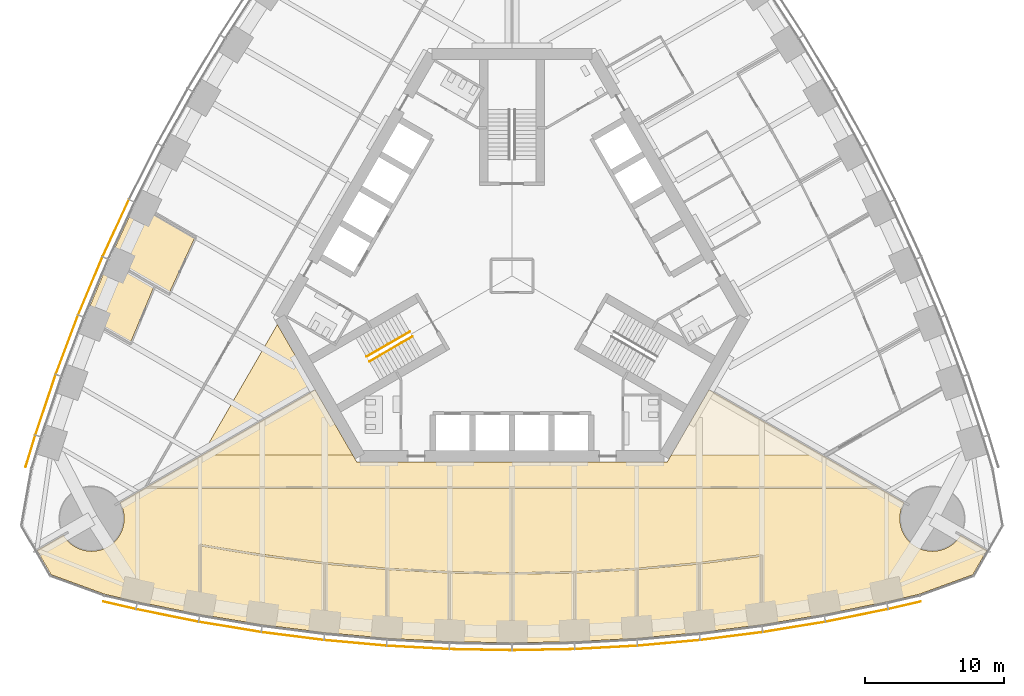
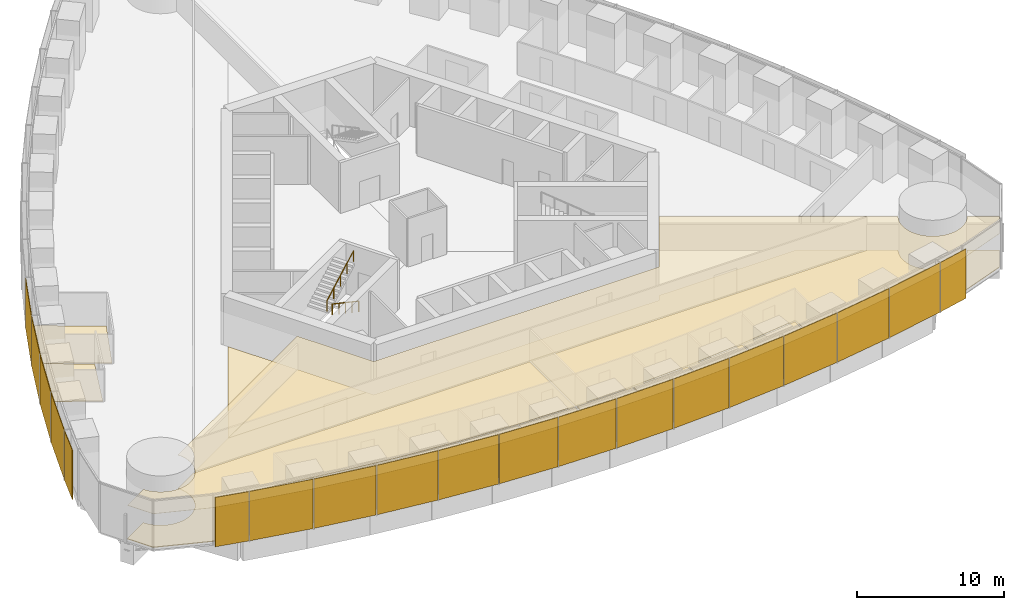
# One storey, part 14 of 18: 19 shading devices, 16 coverings, 2 railings.
"""IFC4 building model written with IfcOpenShell, lengths in metres."""

from ifc_helpers import new_model, si_unit, direction, frame, origin, origin_2d, place, context, subcontext, project, spatial, polyline, rectangle, circle, outline, extrude, material, layer, layer_set, type_object, element, save


model = new_model("IFC4")

# Units and contexts
model_context = context("Model", 3, precision=1e-05, world=origin(), true_north=direction((0.0, 1.0)))
body_context = subcontext(model_context, "Body", "Model", "MODEL_VIEW")
ifc_project = project(units=[si_unit("LENGTHUNIT", "METRE"), si_unit("AREAUNIT", "SQUARE_METRE"), si_unit("VOLUMEUNIT", "CUBIC_METRE"), si_unit("PLANEANGLEUNIT", "RADIAN"), si_unit("MASSUNIT", "GRAM", prefix="KILO")], contexts=[model_context])

# Site, building, storey
site_placement = place(None, origin())
site = spatial("IfcSite", under=ifc_project, at=site_placement, CompositionType="ELEMENT")
building_placement = place(site_placement, origin())
building = spatial("IfcBuilding", under=site, at=building_placement, Name="Trefoil Bronze Tower", CompositionType="ELEMENT")
storey_placement = place(building_placement, frame((0.0, 0.0, 111.5)))
storey = spatial("IfcBuildingStorey", under=building, at=storey_placement, Name="L25", CompositionType="ELEMENT", Elevation=111.5)

# Shading devices
ifc_material_1 = material(Name="Perforated bronze sheet", Category="bronze")
ifc_layer_1 = layer(ifc_material_1, 0.0400390625)
ifc_layer_set_1 = layer_set([ifc_layer_1], Name="Bronze solar screen panel")
shading_device_type = type_object("IfcShadingDeviceType", Name="Bronze solar screen panel", PredefinedType="SHUTTER", material=ifc_layer_set_1)
shading_device_1_placement = place(storey_placement, frame((-28.30078125, -23.748779296875, 0.050048828125), z_axis=(0.0, 0.0, 1.0), x_axis=(0.97420444715, -0.225667222151, 0.0)))
element("IfcShadingDevice", 1, at=shading_device_1_placement, inside=storey, type_object=shading_device_type, Name="Solar screen CW-A L25 F1 bay 1", PredefinedType="SHUTTER", context=body_context, shape_type="SweptSolid", body=[
    extrude(rectangle(XDim=2.39013671875, YDim=0.0400390625, at=origin_2d()), origin(), (0.0, 0.0, 1.0), 4.10009765625),
])
shading_device_2_placement = place(storey_placement, frame((-24.85693359375, -24.480224609375, 0.050048828125), z_axis=(0.0, 0.0, 1.0), x_axis=(0.980155155547, -0.198231861853, 0.0)))
element("IfcShadingDevice", 2, at=shading_device_2_placement, inside=storey, type_object=shading_device_type, Name="Solar screen CW-A L25 F1 bay 2", PredefinedType="SHUTTER", context=body_context, shape_type="SweptSolid", body=[
    extrude(rectangle(XDim=4.56103515625, YDim=0.0400390625, at=origin_2d()), origin(), (0.0, 0.0, 1.0), 4.10009765625),
])
shading_device_3_placement = place(storey_placement, frame((-20.337646484375, -25.30859375, 0.050048828125), z_axis=(0.0, 0.0, 1.0), x_axis=(0.986759655731, -0.162189339418, 0.0)))
element("IfcShadingDevice", 3, at=shading_device_3_placement, inside=storey, type_object=shading_device_type, Name="Solar screen CW-A L25 F1 bay 3", PredefinedType="SHUTTER", context=body_context, shape_type="SweptSolid", body=[
    extrude(rectangle(XDim=4.5302734375, YDim=0.0400390625, at=origin_2d()), origin(), (0.0, 0.0, 1.0), 4.10009765625),
])
shading_device_4_placement = place(storey_placement, frame((-15.818115234375, -25.96728515625, 0.050048828125), z_axis=(0.0, 0.0, 1.0), x_axis=(0.992011554286, -0.126147041833, 0.0)))
element("IfcShadingDevice", 4, at=shading_device_4_placement, inside=storey, type_object=shading_device_type, Name="Solar screen CW-A L25 F1 bay 4", PredefinedType="SHUTTER", context=body_context, shape_type="SweptSolid", body=[
    extrude(rectangle(XDim=4.50634765625, YDim=0.0400390625, at=origin_2d()), origin(), (0.0, 0.0, 1.0), 4.10009765625),
])
shading_device_5_placement = place(storey_placement, frame((-11.298583984375, -26.459228515625, 0.050048828125), z_axis=(0.0, 0.0, 1.0), x_axis=(0.995932279146, -0.090104913044, 0.0)))
element("IfcShadingDevice", 5, at=shading_device_5_placement, inside=storey, type_object=shading_device_type, Name="Solar screen CW-A L25 F1 bay 5", PredefinedType="SHUTTER", context=body_context, shape_type="SweptSolid", body=[
    extrude(rectangle(XDim=4.48828125, YDim=0.0400390625, at=origin_2d()), origin(), (0.0, 0.0, 1.0), 4.10009765625),
])
shading_device_6_placement = place(storey_placement, frame((-6.779296875, -26.785888671875, 0.050048828125), z_axis=(0.0, 0.0, 1.0), x_axis=(0.998537531923, -0.054062901701, 0.0)))
element("IfcShadingDevice", 6, at=shading_device_6_placement, inside=storey, type_object=shading_device_type, Name="Solar screen CW-A L25 F1 bay 6", PredefinedType="SHUTTER", context=body_context, shape_type="SweptSolid", body=[
    extrude(rectangle(XDim=4.4765625, YDim=0.0400390625, at=origin_2d()), origin(), (0.0, 0.0, 1.0), 4.10009765625),
])
for number, where, z_axis, x_axis, name in (
    (7, (-2.259765625, -26.948974609375, 0.050048828125), (0.0, 0.0, 1.0), (0.999837609322, -0.018020959612, 0.0), "Solar screen CW-A L25 F1 bay 7"),
    (8, (2.259765625, -26.948974609375, 0.050048828125), (0.0, 0.0, 1.0), (0.999837609322, 0.018020959612, 0.0), "Solar screen CW-A L25 F1 bay 8"),
):
    element("IfcShadingDevice", number, at=place(storey_placement, frame(where, z_axis=z_axis, x_axis=x_axis)), inside=storey, type_object=shading_device_type, Name=name, PredefinedType="SHUTTER", context=body_context, shape_type="SweptSolid", body=[
        extrude(rectangle(XDim=4.470703125, YDim=0.0400390625, at=origin_2d()), origin(), (0.0, 0.0, 1.0), 4.10009765625),
    ])
shading_device_7_placement = place(storey_placement, frame((6.779296875, -26.785888671875, 0.050048828125), z_axis=(0.0, 0.0, 1.0), x_axis=(0.998537531923, 0.054062901701, 0.0)))
element("IfcShadingDevice", 9, at=shading_device_7_placement, inside=storey, type_object=shading_device_type, Name="Solar screen CW-A L25 F1 bay 9", PredefinedType="SHUTTER", context=body_context, shape_type="SweptSolid", body=[
    extrude(rectangle(XDim=4.4765625, YDim=0.0400390625, at=origin_2d()), origin(), (0.0, 0.0, 1.0), 4.10009765625),
])
shading_device_8_placement = place(storey_placement, frame((11.298583984375, -26.459228515625, 0.050048828125), z_axis=(0.0, 0.0, 1.0), x_axis=(0.995932279146, 0.090104913044, 0.0)))
element("IfcShadingDevice", 10, at=shading_device_8_placement, inside=storey, type_object=shading_device_type, Name="Solar screen CW-A L25 F1 bay 10", PredefinedType="SHUTTER", context=body_context, shape_type="SweptSolid", body=[
    extrude(rectangle(XDim=4.48828125, YDim=0.0400390625, at=origin_2d()), origin(), (0.0, 0.0, 1.0), 4.10009765625),
])
shading_device_9_placement = place(storey_placement, frame((15.818115234375, -25.96728515625, 0.050048828125), z_axis=(0.0, 0.0, 1.0), x_axis=(0.992011554286, 0.126147041833, 0.0)))
element("IfcShadingDevice", 11, at=shading_device_9_placement, inside=storey, type_object=shading_device_type, Name="Solar screen CW-A L25 F1 bay 11", PredefinedType="SHUTTER", context=body_context, shape_type="SweptSolid", body=[
    extrude(rectangle(XDim=4.50634765625, YDim=0.0400390625, at=origin_2d()), origin(), (0.0, 0.0, 1.0), 4.10009765625),
])
shading_device_10_placement = place(storey_placement, frame((20.337646484375, -25.30859375, 0.050048828125), z_axis=(0.0, 0.0, 1.0), x_axis=(0.986759655731, 0.162189339418, 0.0)))
element("IfcShadingDevice", 12, at=shading_device_10_placement, inside=storey, type_object=shading_device_type, Name="Solar screen CW-A L25 F1 bay 12", PredefinedType="SHUTTER", context=body_context, shape_type="SweptSolid", body=[
    extrude(rectangle(XDim=4.5302734375, YDim=0.0400390625, at=origin_2d()), origin(), (0.0, 0.0, 1.0), 4.10009765625),
])
shading_device_11_placement = place(storey_placement, frame((24.85693359375, -24.480224609375, 0.050048828125), z_axis=(0.0, 0.0, 1.0), x_axis=(0.980155155547, 0.198231861853, 0.0)))
element("IfcShadingDevice", 13, at=shading_device_11_placement, inside=storey, type_object=shading_device_type, Name="Solar screen CW-A L25 F1 bay 13", PredefinedType="SHUTTER", context=body_context, shape_type="SweptSolid", body=[
    extrude(rectangle(XDim=4.56103515625, YDim=0.0400390625, at=origin_2d()), origin(), (0.0, 0.0, 1.0), 4.10009765625),
])
shading_device_12_placement = place(storey_placement, frame((28.30078125, -23.748779296875, 0.050048828125), z_axis=(0.0, 0.0, 1.0), x_axis=(0.97420444715, 0.225667222151, 0.0)))
element("IfcShadingDevice", 14, at=shading_device_12_placement, inside=storey, type_object=shading_device_type, Name="Solar screen CW-A L25 F1 bay 14", PredefinedType="SHUTTER", context=body_context, shape_type="SweptSolid", body=[
    extrude(rectangle(XDim=2.39013671875, YDim=0.0400390625, at=origin_2d()), origin(), (0.0, 0.0, 1.0), 4.10009765625),
])
shading_device_13_placement = place(storey_placement, frame((-28.563720703125, 3.444580078125, 0.050048828125), z_axis=(0.0, 0.0, 1.0), x_axis=(-0.419932995871, -0.907555110712, 0.0)))
element("IfcShadingDevice", 15, at=shading_device_13_placement, inside=storey, type_object=shading_device_type, Name="Solar screen CW-A L25 F3 bay 10", PredefinedType="SHUTTER", context=body_context, shape_type="SweptSolid", body=[
    extrude(rectangle(XDim=4.48828125, YDim=0.0400390625, at=origin_2d()), origin(), (0.0, 0.0, 1.0), 4.10009765625),
])
shading_device_14_placement = place(storey_placement, frame((-30.3974609375, -0.715087890625, 0.050048828125), z_axis=(0.0, 0.0, 1.0), x_axis=(-0.386759234303, -0.922180727776, 0.0)))
element("IfcShadingDevice", 16, at=shading_device_14_placement, inside=storey, type_object=shading_device_type, Name="Solar screen CW-A L25 F3 bay 11", PredefinedType="SHUTTER", context=body_context, shape_type="SweptSolid", body=[
    extrude(rectangle(XDim=4.50634765625, YDim=0.0400390625, at=origin_2d()), origin(), (0.0, 0.0, 1.0), 4.10009765625),
])
shading_device_15_placement = place(storey_placement, frame((-32.086669921875, -4.95849609375, 0.050048828125), z_axis=(0.0, 0.0, 1.0), x_axis=(-0.352919739707, -0.935653599002, 0.0)))
element("IfcShadingDevice", 17, at=shading_device_15_placement, inside=storey, type_object=shading_device_type, Name="Solar screen CW-A L25 F3 bay 12", PredefinedType="SHUTTER", context=body_context, shape_type="SweptSolid", body=[
    extrude(rectangle(XDim=4.5302734375, YDim=0.0400390625, at=origin_2d()), origin(), (0.0, 0.0, 1.0), 4.10009765625),
])
shading_device_16_placement = place(storey_placement, frame((-33.62890625, -9.286865234375, 0.050048828125), z_axis=(0.0, 0.0, 1.0), x_axis=(-0.318403749569, -0.947955195281, 0.0)))
element("IfcShadingDevice", 18, at=shading_device_16_placement, inside=storey, type_object=shading_device_type, Name="Solar screen CW-A L25 F3 bay 13", PredefinedType="SHUTTER", context=body_context, shape_type="SweptSolid", body=[
    extrude(rectangle(XDim=4.56103515625, YDim=0.0400390625, at=origin_2d()), origin(), (0.0, 0.0, 1.0), 4.10009765625),
])
shading_device_17_placement = place(storey_placement, frame((-34.717529296875, -12.634765625, 0.050048828125), z_axis=(0.0, 0.0, 1.0), x_axis=(-0.291668676391, -0.956519410787, 0.0)))
element("IfcShadingDevice", 19, at=shading_device_17_placement, inside=storey, type_object=shading_device_type, Name="Solar screen CW-A L25 F3 bay 14", PredefinedType="SHUTTER", context=body_context, shape_type="SweptSolid", body=[
    extrude(rectangle(XDim=2.39013671875, YDim=0.0400390625, at=origin_2d()), origin(), (0.0, 0.0, 1.0), 4.10009765625),
])

# Railings
ifc_material_2 = material(Name="Steel handrail", Category="steel")
railing_type = type_object("IfcRailingType", Name="Handrail 900", PredefinedType="HANDRAIL", material=ifc_material_2)
railing_1_placement = place(storey_placement, frame((-7.166015625, -4.3681640625, 0.16162109375)))
element("IfcRailing", 20, at=railing_1_placement, inside=storey, type_object=railing_type, Name="Handrail ST3 flight 1 L25", PredefinedType="HANDRAIL", context=body_context, shape_type="SweptSolid", body=[
    extrude(circle(Radius=0.02392578125, at=origin_2d()), frame((0.0, 0.0, 0.8759765625), z_axis=(-0.76250339821, -0.440245697338, 0.474101564745), x_axis=(0.500012057535, -0.866018442252, 0.0)), (0.0, 0.0, 1.0), 4.088623046875),
    extrude(circle(Radius=0.02099609375, at=origin_2d()), origin(), (0.0, 0.0, 1.0), 0.851806640625),
    extrude(circle(Radius=0.02099609375, at=origin_2d()), frame((-0.779296875, -0.449951171875, 0.484619140625)), (0.0, 0.0, 1.0), 0.851806640625),
    extrude(circle(Radius=0.02099609375, at=origin_2d()), frame((-1.558837890625, -0.89990234375, 0.96923828125)), (0.0, 0.0, 1.0), 0.851806640625),
    extrude(circle(Radius=0.02099609375, at=origin_2d()), frame((-2.33837890625, -1.35009765625, 1.453857421875)), (0.0, 0.0, 1.0), 0.851806640625),
    extrude(circle(Radius=0.02099609375, at=origin_2d()), frame((-3.11767578125, -1.800048828125, 1.9384765625)), (0.0, 0.0, 1.0), 0.851806640625),
])
railing_2_placement = place(storey_placement, frame((-10.483642578125, -5.82177734375, 2.261474609375)))
element("IfcRailing", 21, at=railing_2_placement, inside=storey, type_object=railing_type, Name="Handrail ST3 flight 2 L25", PredefinedType="HANDRAIL", context=body_context, shape_type="SweptSolid", body=[
    extrude(circle(Radius=0.02392578125, at=origin_2d()), frame((0.0, 0.0, 0.8759765625), z_axis=(0.76250339821, 0.440245697338, 0.474101564745), x_axis=(-0.500012057535, 0.866018442252, 0.0)), (0.0, 0.0, 1.0), 4.088623046875),
    extrude(circle(Radius=0.02099609375, at=origin_2d()), origin(), (0.0, 0.0, 1.0), 0.851806640625),
    extrude(circle(Radius=0.02099609375, at=origin_2d()), frame((0.779296875, 0.449951171875, 0.484619140625)), (0.0, 0.0, 1.0), 0.851806640625),
    extrude(circle(Radius=0.02099609375, at=origin_2d()), frame((1.558837890625, 0.89990234375, 0.96923828125)), (0.0, 0.0, 1.0), 0.851806640625),
    extrude(circle(Radius=0.02099609375, at=origin_2d()), frame((2.33837890625, 1.35009765625, 1.453857421875)), (0.0, 0.0, 1.0), 0.851806640625),
    extrude(circle(Radius=0.02099609375, at=origin_2d()), frame((3.11767578125, 1.800048828125, 1.9384765625)), (0.0, 0.0, 1.0), 0.851806640625),
])

# Coverings
ifc_material_3 = material(Name="Acoustic ceiling panels", Category="mineral fibre")
ifc_layer_2 = layer(ifc_material_3, 0.02001953125)
ifc_layer_set_2 = layer_set([ifc_layer_2], Name="Office ceiling 20")
covering_type_1 = type_object("IfcCoveringType", Name="Office ceiling 20", PredefinedType="CEILING", material=ifc_layer_set_2)
covering_1_placement = place(storey_placement, frame((0.0, 0.0, 2.89990234375)))
element("IfcCovering", 22, at=covering_1_placement, inside=storey, type_object=covering_type_1, Name="Ceiling L25 Open-plan office F1", PredefinedType="CEILING", context=body_context, shape_type="SweptSolid", body=[
    extrude(outline(polyline([(-32.264892578125, -18.8056640625), (-32.198486328125, -18.89990234375), (-32.12744140625, -18.99072265625), (-32.052001953125, -19.078125), (-31.97265625, -19.16162109375), (-31.88916015625, -19.2412109375), (-31.8017578125, -19.316650390625), (-31.710693359375, -19.387451171875), (-31.616455078125, -19.4541015625), (-31.51904296875, -19.515625), (-31.418701171875, -19.572509765625), (-31.315673828125, -19.62451171875), (-31.210205078125, -19.671142578125), (-31.1025390625, -19.712646484375), (-30.9931640625, -19.748779296875), (-30.8818359375, -19.779541015625), (-30.769287109375, -19.8046875), (-30.65576171875, -19.82470703125), (-30.541259765625, -19.838623046875), (-30.42626953125, -19.84716796875), (-30.310791015625, -19.85009765625), (-30.195556640625, -19.84716796875), (-30.08056640625, -19.838623046875), (-29.966064453125, -19.82470703125), (-29.852294921875, -19.8046875), (-29.739990234375, -19.779541015625), (-29.628662109375, -19.748779296875), (-29.519287109375, -19.712646484375), (-29.41162109375, -19.671142578125), (-29.30615234375, -19.62451171875), (-29.203125, -19.572509765625), (-29.102783203125, -19.515625), (-29.00537109375, -19.4541015625), (-28.910888671875, -19.387451171875), (-28.820068359375, -19.316650390625), (-28.732666015625, -19.2412109375), (-28.649169921875, -19.16162109375), (-28.569580078125, -19.078125), (-28.494384765625, -18.99072265625), (-28.42333984375, -18.89990234375), (-28.35693359375, -18.8056640625), (-28.295166015625, -18.7080078125), (-28.23828125, -18.60791015625), (-28.1865234375, -18.5048828125), (-28.139892578125, -18.3994140625), (-28.098388671875, -18.291748046875), (-28.06201171875, -18.18212890625), (-28.03125, -18.071044921875), (-28.006103515625, -17.95849609375), (-27.986328125, -17.8447265625), (-27.97216796875, -17.730224609375), (-27.963623046875, -17.615234375), (-27.9609375, -17.5), (-27.963623046875, -17.384765625), (-27.97216796875, -17.269775390625), (-27.986328125, -17.1552734375), (-28.006103515625, -17.04150390625), (-28.03125, -16.928955078125), (-28.06201171875, -16.81787109375), (-28.098388671875, -16.708251953125), (-28.139892578125, -16.6005859375), (-28.1865234375, -16.4951171875), (-28.23828125, -16.39208984375), (-28.270263671875, -16.3359375), (-14.19970703125, -8.205322265625), (-11.20068359375, -13.39990234375), (11.20068359375, -13.39990234375), (14.19970703125, -8.205322265625), (28.270263671875, -16.3359375), (28.23828125, -16.39208984375), (28.1865234375, -16.4951171875), (28.139892578125, -16.6005859375), (28.098388671875, -16.708251953125), (28.06201171875, -16.81787109375), (28.03125, -16.928955078125), (28.006103515625, -17.04150390625), (27.986328125, -17.1552734375), (27.97216796875, -17.269775390625), (27.963623046875, -17.384765625), (27.9609375, -17.5), (27.963623046875, -17.615234375), (27.97216796875, -17.730224609375), (27.986328125, -17.8447265625), (28.006103515625, -17.95849609375), (28.03125, -18.071044921875), (28.06201171875, -18.18212890625), (28.098388671875, -18.291748046875), (28.139892578125, -18.3994140625), (28.1865234375, -18.5048828125), (28.23828125, -18.60791015625), (28.295166015625, -18.7080078125), (28.35693359375, -18.8056640625), (28.42333984375, -18.89990234375), (28.494384765625, -18.99072265625), (28.569580078125, -19.078125), (28.649169921875, -19.16162109375), (28.732666015625, -19.2412109375), (28.820068359375, -19.316650390625), (28.910888671875, -19.387451171875), (29.00537109375, -19.4541015625), (29.102783203125, -19.515625), (29.203125, -19.572509765625), (29.30615234375, -19.62451171875), (29.41162109375, -19.671142578125), (29.519287109375, -19.712646484375), (29.628662109375, -19.748779296875), (29.739990234375, -19.779541015625), (29.852294921875, -19.8046875), (29.966064453125, -19.82470703125), (30.08056640625, -19.838623046875), (30.195556640625, -19.84716796875), (30.310791015625, -19.85009765625), (30.42626953125, -19.84716796875), (30.541259765625, -19.838623046875), (30.65576171875, -19.82470703125), (30.769287109375, -19.8046875), (30.8818359375, -19.779541015625), (30.9931640625, -19.748779296875), (31.1025390625, -19.712646484375), (31.210205078125, -19.671142578125), (31.315673828125, -19.62451171875), (31.418701171875, -19.572509765625), (31.51904296875, -19.515625), (31.616455078125, -19.4541015625), (31.710693359375, -19.387451171875), (31.8017578125, -19.316650390625), (31.88916015625, -19.2412109375), (31.97265625, -19.16162109375), (32.052001953125, -19.078125), (32.12744140625, -18.99072265625), (32.198486328125, -18.89990234375), (32.264892578125, -18.8056640625), (32.338623046875, -18.68701171875), (34.233154296875, -19.781494140625), (33.21435546875, -21.5458984375), (29.357666015625, -22.94970703125), (27.0, -23.495849609375), (22.5, -24.406005859375), (18.0, -25.1455078125), (13.5, -25.7177734375), (9.0, -26.125), (4.5, -26.36865234375), (0.0, -26.44970703125), (-4.5, -26.36865234375), (-9.0, -26.125), (-13.5, -25.7177734375), (-18.0, -25.1455078125), (-22.5, -24.406005859375), (-27.0, -23.495849609375), (-29.357666015625, -22.94970703125), (-33.21435546875, -21.5458984375), (-34.233154296875, -19.781494140625), (-32.338623046875, -18.68701171875), (-32.264892578125, -18.8056640625)])), origin(), (0.0, 0.0, 1.0), 0.02001953125),
])
ifc_material_4 = material(Name="Raised access floor panels", Category="steel")
ifc_layer_3 = layer(ifc_material_4, 0.050048828125)
ifc_layer_set_3 = layer_set([ifc_layer_3], Name="Raised access floor 150")
covering_type_2 = type_object("IfcCoveringType", Name="Raised access floor 150", PredefinedType="FLOORING", material=ifc_layer_set_3)
covering_2_placement = place(storey_placement, frame((0.0, 0.0, 0.10009765625)))
element("IfcCovering", 23, at=covering_2_placement, inside=storey, type_object=covering_type_2, Name="Raised floor L25 Client meeting room F1", PredefinedType="FLOORING", context=body_context, shape_type="SweptSolid", body=[
    extrude(outline(polyline([(-18.0, -25.1455078125), (-22.5, -24.406005859375), (-22.5, -22.748779296875), (-22.43994140625, -22.748779296875), (-22.43994140625, -19.4765625), (-18.009765625, -20.204833984375), (-18.0, -20.1455078125), (-18.007568359375, -20.205078125), (-13.56005859375, -20.770751953125), (-13.56005859375, -24.078125), (-13.5, -24.078125), (-13.5, -25.7177734375), (-18.0, -25.1455078125)])), origin(), (0.0, 0.0, 1.0), 0.0498046875),
])
covering_3_placement = place(storey_placement, frame((0.0, 0.0, 0.10009765625)))
element("IfcCovering", 24, at=covering_3_placement, inside=storey, type_object=covering_type_2, Name="Raised floor L25 Client meeting room F1", PredefinedType="FLOORING", context=body_context, shape_type="SweptSolid", body=[
    extrude(outline(polyline([(-9.0, -26.125), (-13.5, -25.7177734375), (-13.5, -24.078125), (-13.43994140625, -24.078125), (-13.43994140625, -20.783447265625), (-9.06005859375, -21.1796875), (-9.06005859375, -24.49072265625), (-9.0, -24.49072265625), (-9.0, -26.125)])), origin(), (0.0, 0.0, 1.0), 0.0498046875),
])
covering_4_placement = place(storey_placement, frame((0.0, 0.0, 0.10009765625)))
element("IfcCovering", 25, at=covering_4_placement, inside=storey, type_object=covering_type_2, Name="Raised floor L25 Office F1", PredefinedType="FLOORING", context=body_context, shape_type="SweptSolid", body=[
    extrude(outline(polyline([(-4.5, -26.36865234375), (-9.0, -26.125), (-9.0, -24.49072265625), (-8.93994140625, -24.49072265625), (-8.93994140625, -21.188232421875), (-4.56005859375, -21.42529296875), (-4.56005859375, -24.737548828125), (-4.5, -24.737548828125), (-4.5, -26.36865234375)])), origin(), (0.0, 0.0, 1.0), 0.0498046875),
])
covering_5_placement = place(storey_placement, frame((0.0, 0.0, 0.10009765625)))
element("IfcCovering", 26, at=covering_5_placement, inside=storey, type_object=covering_type_2, Name="Raised floor L25 Office F1", PredefinedType="FLOORING", context=body_context, shape_type="SweptSolid", body=[
    extrude(outline(polyline([(0.0, -26.44970703125), (-4.5, -26.36865234375), (-4.5, -24.737548828125), (-4.43994140625, -24.737548828125), (-4.43994140625, -21.4296875), (-0.074951171875, -21.50830078125), (-0.074951171875, -24.819580078125), (0.0, -24.819580078125), (0.0, -26.44970703125)])), origin(), (0.0, 0.0, 1.0), 0.0498046875),
])
covering_6_placement = place(storey_placement, frame((0.0, 0.0, 0.10009765625)))
element("IfcCovering", 27, at=covering_6_placement, inside=storey, type_object=covering_type_2, Name="Raised floor L25 Office F1", PredefinedType="FLOORING", context=body_context, shape_type="SweptSolid", body=[
    extrude(outline(polyline([(4.5, -26.36865234375), (0.0, -26.44970703125), (0.0, -24.819580078125), (0.074951171875, -24.819580078125), (0.074951171875, -21.50830078125), (4.43994140625, -21.4296875), (4.43994140625, -24.737548828125), (4.5, -24.737548828125), (4.5, -26.36865234375)])), origin(), (0.0, 0.0, 1.0), 0.0498046875),
])
covering_7_placement = place(storey_placement, frame((0.0, 0.0, 0.10009765625)))
element("IfcCovering", 28, at=covering_7_placement, inside=storey, type_object=covering_type_2, Name="Raised floor L25 Office F1", PredefinedType="FLOORING", context=body_context, shape_type="SweptSolid", body=[
    extrude(outline(polyline([(9.0, -26.125), (4.5, -26.36865234375), (4.5, -24.737548828125), (4.56005859375, -24.737548828125), (4.56005859375, -21.42529296875), (8.93994140625, -21.188232421875), (8.93994140625, -24.49072265625), (9.0, -24.49072265625), (9.0, -26.125)])), origin(), (0.0, 0.0, 1.0), 0.0498046875),
])
covering_8_placement = place(storey_placement, frame((0.0, 0.0, 0.10009765625)))
element("IfcCovering", 29, at=covering_8_placement, inside=storey, type_object=covering_type_2, Name="Raised floor L25 Meeting room F1", PredefinedType="FLOORING", context=body_context, shape_type="SweptSolid", body=[
    extrude(outline(polyline([(13.5, -25.7177734375), (9.0, -26.125), (9.0, -24.49072265625), (9.06005859375, -24.49072265625), (9.06005859375, -21.1796875), (13.43994140625, -20.783447265625), (13.43994140625, -24.078125), (13.5, -24.078125), (13.5, -25.7177734375)])), origin(), (0.0, 0.0, 1.0), 0.0498046875),
])
covering_9_placement = place(storey_placement, frame((0.0, 0.0, 0.10009765625)))
element("IfcCovering", 30, at=covering_9_placement, inside=storey, type_object=covering_type_2, Name="Raised floor L25 Meeting room F1", PredefinedType="FLOORING", context=body_context, shape_type="SweptSolid", body=[
    extrude(outline(polyline([(18.0, -25.1455078125), (13.5, -25.7177734375), (13.5, -24.078125), (13.56005859375, -24.078125), (13.56005859375, -20.770751953125), (17.93994140625, -20.213623046875), (17.93994140625, -23.49853515625), (18.0, -23.49853515625), (18.0, -25.1455078125)])), origin(), (0.0, 0.0, 1.0), 0.0498046875),
])
covering_10_placement = place(storey_placement, frame((0.0, 0.0, 0.10009765625)))
element("IfcCovering", 31, at=covering_10_placement, inside=storey, type_object=covering_type_2, Name="Raised floor L25 Corridor F1", PredefinedType="FLOORING", context=body_context, shape_type="SweptSolid", body=[
    extrude(outline(polyline([(-26.304443359375, -15.199951171875), (-22.32421875, -12.89990234375), (-11.4892578125, -12.89990234375), (-11.20068359375, -13.39990234375), (11.20068359375, -13.39990234375), (11.4892578125, -12.89990234375), (22.32421875, -12.89990234375), (26.304443359375, -15.199951171875), (-26.304443359375, -15.199951171875)])), origin(), (0.0, 0.0, 1.0), 0.0498046875),
])
covering_11_placement = place(storey_placement, frame((0.0, 0.0, 0.10009765625)))
element("IfcCovering", 32, at=covering_11_placement, inside=storey, type_object=covering_type_2, Name="Raised floor L25 Open-plan office F1", PredefinedType="FLOORING", context=body_context, shape_type="SweptSolid", body=[
    extrude(outline(polyline([(18.0, -23.49853515625), (18.06005859375, -23.49853515625), (18.06005859375, -20.1455078125), (18.0, -20.1455078125), (17.992431640625, -20.0859375), (13.493408203125, -20.658203125), (8.99560546875, -21.065185546875), (4.497802734375, -21.30859375), (0.074951171875, -21.38818359375), (0.074951171875, -15.320068359375), (26.398193359375, -15.320068359375), (26.398193359375, -15.254150390625), (28.270263671875, -16.3359375), (28.23828125, -16.39208984375), (28.1865234375, -16.4951171875), (28.139892578125, -16.6005859375), (28.098388671875, -16.708251953125), (28.06201171875, -16.81787109375), (28.03125, -16.928955078125), (28.006103515625, -17.04150390625), (27.986328125, -17.1552734375), (27.97216796875, -17.269775390625), (27.963623046875, -17.384765625), (27.9609375, -17.5), (27.963623046875, -17.615234375), (27.97216796875, -17.730224609375), (27.986328125, -17.8447265625), (28.006103515625, -17.95849609375), (28.03125, -18.071044921875), (28.06201171875, -18.18212890625), (28.098388671875, -18.291748046875), (28.139892578125, -18.3994140625), (28.1865234375, -18.5048828125), (28.23828125, -18.60791015625), (28.295166015625, -18.7080078125), (28.35693359375, -18.8056640625), (28.42333984375, -18.89990234375), (28.494384765625, -18.99072265625), (28.569580078125, -19.078125), (28.649169921875, -19.16162109375), (28.732666015625, -19.2412109375), (28.820068359375, -19.316650390625), (28.910888671875, -19.387451171875), (29.00537109375, -19.4541015625), (29.102783203125, -19.515625), (29.203125, -19.572509765625), (29.30615234375, -19.62451171875), (29.41162109375, -19.671142578125), (29.519287109375, -19.712646484375), (29.628662109375, -19.748779296875), (29.739990234375, -19.779541015625), (29.852294921875, -19.8046875), (29.966064453125, -19.82470703125), (30.08056640625, -19.838623046875), (30.195556640625, -19.84716796875), (30.310791015625, -19.85009765625), (30.42626953125, -19.84716796875), (30.541259765625, -19.838623046875), (30.65576171875, -19.82470703125), (30.769287109375, -19.8046875), (30.8818359375, -19.779541015625), (30.9931640625, -19.748779296875), (31.1025390625, -19.712646484375), (31.210205078125, -19.671142578125), (31.315673828125, -19.62451171875), (31.418701171875, -19.572509765625), (31.51904296875, -19.515625), (31.616455078125, -19.4541015625), (31.710693359375, -19.387451171875), (31.8017578125, -19.316650390625), (31.88916015625, -19.2412109375), (31.97265625, -19.16162109375), (32.052001953125, -19.078125), (32.12744140625, -18.99072265625), (32.198486328125, -18.89990234375), (32.264892578125, -18.8056640625), (32.338623046875, -18.68701171875), (34.233154296875, -19.781494140625), (33.21435546875, -21.5458984375), (29.357666015625, -22.94970703125), (27.0, -23.495849609375), (22.5, -24.406005859375), (18.0, -25.1455078125), (18.0, -23.49853515625)])), origin(), (0.0, 0.0, 1.0), 0.0498046875),
])
covering_12_placement = place(storey_placement, frame((0.0, 0.0, 0.10009765625)))
element("IfcCovering", 33, at=covering_12_placement, inside=storey, type_object=covering_type_2, Name="Raised floor L25 Open-plan office F1", PredefinedType="FLOORING", context=body_context, shape_type="SweptSolid", body=[
    extrude(outline(polyline([(-28.139892578125, -16.6005859375), (-28.1865234375, -16.4951171875), (-28.23828125, -16.39208984375), (-28.270263671875, -16.3359375), (-26.398193359375, -15.254150390625), (-26.398193359375, -15.320068359375), (-0.074951171875, -15.320068359375), (-0.074951171875, -21.38818359375), (-4.497802734375, -21.30859375), (-8.99560546875, -21.065185546875), (-13.493408203125, -20.658203125), (-16.75146484375, -20.243896484375), (-19.231201171875, -19.88232421875), (-22.490234375, -19.3466796875), (-22.5, -19.406005859375), (-22.56005859375, -19.406005859375), (-22.56005859375, -22.748779296875), (-22.5, -22.748779296875), (-22.5, -24.406005859375), (-27.0, -23.495849609375), (-29.357666015625, -22.94970703125), (-33.21435546875, -21.5458984375), (-34.233154296875, -19.781494140625), (-32.338623046875, -18.68701171875), (-32.264892578125, -18.8056640625), (-32.198486328125, -18.89990234375), (-32.12744140625, -18.99072265625), (-32.052001953125, -19.078125), (-31.97265625, -19.16162109375), (-31.88916015625, -19.2412109375), (-31.8017578125, -19.316650390625), (-31.710693359375, -19.387451171875), (-31.616455078125, -19.4541015625), (-31.51904296875, -19.515625), (-31.418701171875, -19.572509765625), (-31.315673828125, -19.62451171875), (-31.210205078125, -19.671142578125), (-31.1025390625, -19.712646484375), (-30.9931640625, -19.748779296875), (-30.8818359375, -19.779541015625), (-30.769287109375, -19.8046875), (-30.65576171875, -19.82470703125), (-30.541259765625, -19.838623046875), (-30.42626953125, -19.84716796875), (-30.310791015625, -19.85009765625), (-30.195556640625, -19.84716796875), (-30.08056640625, -19.838623046875), (-29.966064453125, -19.82470703125), (-29.852294921875, -19.8046875), (-29.739990234375, -19.779541015625), (-29.628662109375, -19.748779296875), (-29.519287109375, -19.712646484375), (-29.41162109375, -19.671142578125), (-29.30615234375, -19.62451171875), (-29.203125, -19.572509765625), (-29.102783203125, -19.515625), (-29.00537109375, -19.4541015625), (-28.910888671875, -19.387451171875), (-28.820068359375, -19.316650390625), (-28.732666015625, -19.2412109375), (-28.649169921875, -19.16162109375), (-28.569580078125, -19.078125), (-28.494384765625, -18.99072265625), (-28.42333984375, -18.89990234375), (-28.35693359375, -18.8056640625), (-28.295166015625, -18.7080078125), (-28.23828125, -18.60791015625), (-28.1865234375, -18.5048828125), (-28.139892578125, -18.3994140625), (-28.098388671875, -18.291748046875), (-28.06201171875, -18.18212890625), (-28.03125, -18.071044921875), (-28.006103515625, -17.95849609375), (-27.986328125, -17.8447265625), (-27.97216796875, -17.730224609375), (-27.963623046875, -17.615234375), (-27.9609375, -17.5), (-27.963623046875, -17.384765625), (-27.97216796875, -17.269775390625), (-27.986328125, -17.1552734375), (-28.006103515625, -17.04150390625), (-28.03125, -16.928955078125), (-28.06201171875, -16.81787109375), (-28.098388671875, -16.708251953125), (-28.139892578125, -16.6005859375)])), origin(), (0.0, 0.0, 1.0), 0.0498046875),
])
covering_13_placement = place(storey_placement, frame((0.0, 0.0, 0.10009765625)))
element("IfcCovering", 34, at=covering_13_placement, inside=storey, type_object=covering_type_2, Name="Raised floor L25 Open-plan office F1", PredefinedType="FLOORING", context=body_context, shape_type="SweptSolid", body=[
    extrude(outline(polyline([(-22.32421875, -12.89990234375), (-14.19970703125, -8.205322265625), (-11.4892578125, -12.89990234375), (-22.32421875, -12.89990234375)])), origin(), (0.0, 0.0, 1.0), 0.0498046875),
])
covering_14_placement = place(storey_placement, frame((0.0, 0.0, 0.10009765625)))
element("IfcCovering", 35, at=covering_14_placement, inside=storey, type_object=covering_type_2, Name="Raised floor L25 Meeting room F3", PredefinedType="FLOORING", context=body_context, shape_type="SweptSolid", body=[
    extrude(outline(polyline([(-29.022216796875, 1.16748046875), (-27.124755859375, 5.268310546875), (-25.709716796875, 4.451171875), (-25.739501953125, 4.399169921875), (-22.872314453125, 2.74365234375), (-24.718994140625, -1.24755859375), (-27.572509765625, 0.399658203125), (-27.602294921875, 0.347900390625), (-29.022216796875, 1.16748046875)])), origin(), (0.0, 0.0, 1.0), 0.0498046875),
])
covering_15_placement = place(storey_placement, frame((0.0, 0.0, 0.10009765625)))
element("IfcCovering", 36, at=covering_15_placement, inside=storey, type_object=covering_type_2, Name="Raised floor L25 Pantry F3", PredefinedType="FLOORING", context=body_context, shape_type="SweptSolid", body=[
    extrude(outline(polyline([(-30.776611328125, -3.015625), (-29.022216796875, 1.16748046875), (-27.602294921875, 0.347900390625), (-27.63232421875, 0.2958984375), (-25.80712890625, -0.758056640625), (-27.514892578125, -4.82958984375), (-29.3203125, -3.787353515625), (-29.350341796875, -3.839111328125), (-30.776611328125, -3.015625)])), origin(), (0.0, 0.0, 1.0), 0.0498046875),
])
covering_16_placement = place(storey_placement, frame((0.0, 0.0, 0.10009765625)))
element("IfcCovering", 37, at=covering_16_placement, inside=storey, type_object=covering_type_2, Name="Raised floor L25 Open-plan office F3", PredefinedType="FLOORING", context=body_context, shape_type="SweptSolid", body=[
    extrude(outline(polyline([(-14.205810546875, -8.194580078125), (-22.333740234375, -12.88330078125), (-16.91650390625, -3.5), (-14.205810546875, -8.194580078125)])), origin(), (0.0, 0.0, 1.0), 0.0498046875),
])

save(model, "model.ifc")
